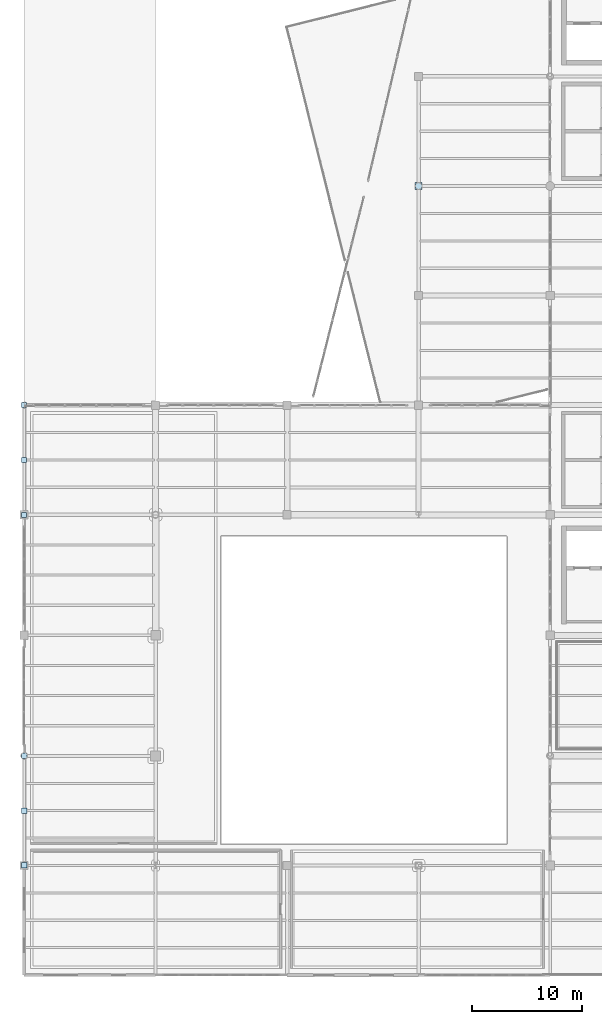
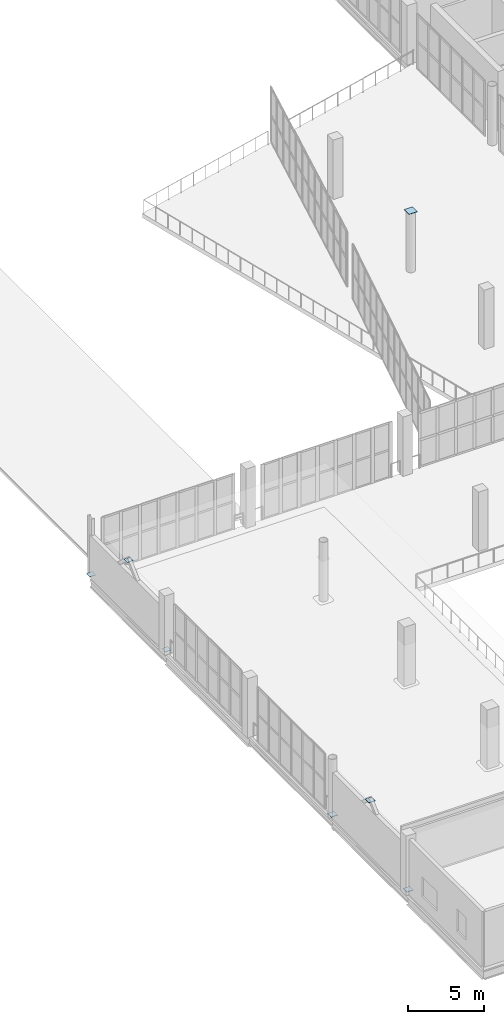
# One storey, part 105 of 136: 7 plates.
"""IFC4 building model written with IfcOpenShell, lengths in metres."""

import ifcopenshell
import ifcopenshell.guid

model = None  # the IFC model being written
_history = None  # IfcOwnerHistory: only IFC2X3 demands one
_inside = {}  # id of a spatial element -> (the spatial element, [elements in it])
_under = {}  # id of a project, library or spatial element -> (it, [spatial elements below it])
_declared = {}  # id of a project -> (the project, [libraries it declares])
_typed = {}  # id of a type object -> (the type object, [elements of that type])
_made_of = {}  # id of a material, layer set ... -> (it, [elements and type objects made of it])


def new_model(schema):
    """Start an empty IFC model of exactly this schema.

    Asked for "IFC4X3", IfcOpenShell would pick the latest addendum, in which some entities
    have other attributes; the version numbers below select the first issue.
    IFC2X3 requires an IfcOwnerHistory on every rooted entity: one is made here for all.
    """
    global model, _history
    if schema == "IFC4X3":
        model = ifcopenshell.file(schema_version=(4, 3, 0, 0))
    else:
        model = ifcopenshell.file(schema=schema)
    _inside.clear()
    _under.clear()
    _declared.clear()
    _typed.clear()
    _made_of.clear()
    _history = None
    if model.schema == "IFC2X3":
        org = make("IfcOrganization", Name="unknown")
        user = make(
            "IfcPersonAndOrganization",
            ThePerson=make("IfcPerson", FamilyName="unknown"),
            TheOrganization=org,
        )
        app = make(
            "IfcApplication",
            ApplicationDeveloper=org,
            Version="unknown",
            ApplicationFullName="unknown",
            ApplicationIdentifier="unknown",
        )
        _history = make(
            "IfcOwnerHistory",
            OwningUser=user,
            OwningApplication=app,
            ChangeAction="ADDED",
            CreationDate=0,
        )
    return model


def make(cls, **values):
    """One entity of the class cls with the attributes given. An attribute that is None is left unset."""
    return model.create_entity(
        cls, **{name: value for name, value in values.items() if value is not None}
    )


def rooted(cls, **values):
    """An entity with a GlobalId (a new one), such as an element, a storey or a relation."""
    return make(cls, GlobalId=ifcopenshell.guid.new(), OwnerHistory=_history, **values)


def si_unit(unit_type, name, prefix=None):
    """IfcSIUnit, for example si_unit("LENGTHUNIT", "METRE", prefix="MILLI")."""
    return make("IfcSIUnit", UnitType=unit_type, Prefix=prefix, Name=name)


def assignment(units):
    """IfcUnitAssignment: the units of a project."""
    return None if units is None else make("IfcUnitAssignment", Units=units)


def point(xyz):
    """IfcCartesianPoint."""
    return None if xyz is None else make("IfcCartesianPoint", Coordinates=xyz)


def direction(xyz):
    """IfcDirection."""
    return None if xyz is None else make("IfcDirection", DirectionRatios=xyz)


def frame(location, z_axis=None, x_axis=None):
    """IfcAxis2Placement3D, a coordinate frame: its origin and axes. An axis left out is left unset."""
    return make(
        "IfcAxis2Placement3D",
        Location=point(location),
        Axis=direction(z_axis),
        RefDirection=direction(x_axis),
    )


def frame_2d(location, x_axis=None):
    """IfcAxis2Placement2D, a coordinate frame in the plane: its origin and x axis."""
    return make(
        "IfcAxis2Placement2D", Location=point(location), RefDirection=direction(x_axis)
    )


def origin():
    """The frame at (0, 0, 0) with its axes left unset."""
    return frame((0.0, 0.0, 0.0))


def origin_2d():
    """The frame at (0, 0) in the plane with its x axis left unset."""
    return frame_2d((0.0, 0.0))


def place(relative_to, where):
    """IfcLocalPlacement: puts the frame where relative to a parent placement (None: the world)."""
    return make(
        "IfcLocalPlacement", PlacementRelTo=relative_to, RelativePlacement=where
    )


def context(
    kind, dimensions, precision=None, world=None, true_north=None, identifier=None
):
    """IfcGeometricRepresentationContext, for example the 3D "Model" context."""
    return make(
        "IfcGeometricRepresentationContext",
        ContextIdentifier=identifier,
        ContextType=kind,
        CoordinateSpaceDimension=dimensions,
        Precision=precision,
        WorldCoordinateSystem=world,
        TrueNorth=true_north,
    )


def subcontext(parent, identifier, kind, view, scale=None):
    """IfcGeometricRepresentationSubContext, for example "Body" below "Model"."""
    return make(
        "IfcGeometricRepresentationSubContext",
        ContextIdentifier=identifier,
        ContextType=kind,
        ParentContext=parent,
        TargetScale=scale,
        TargetView=view,
    )


def project(units=None, contexts=None):
    """IfcProject with its units and contexts."""
    return rooted(
        "IfcProject",
        Name="project",
        RepresentationContexts=contexts,
        UnitsInContext=assignment(units),
    )


def spatial(cls, under=None, at=None, **own):
    """A site, building, storey or space (cls), placed at a placement, below another one or the project."""
    s = rooted(cls, ObjectPlacement=at, **own)
    if under is not None:
        _under.setdefault(under.id(), (under, []))[1].append(s)
    return s


def profile(cls, at=None, kind="AREA", **sizes):
    """A parametric profile (cls). Its sizes go by their IFC names, for example OverallWidth=200.0."""
    return make(cls, ProfileType=kind, Position=at, **sizes)


def rectangle(**sizes):
    """IfcRectangleProfileDef."""
    return profile("IfcRectangleProfileDef", **sizes)


def extrude(swept, where, along, depth):
    """IfcExtrudedAreaSolid: the profile swept, set in the frame where, extruded along a direction by depth."""
    return make(
        "IfcExtrudedAreaSolid",
        SweptArea=swept,
        Position=where,
        ExtrudedDirection=direction(along),
        Depth=depth,
    )


def shape(context_of_items, identifier, shape_type, items):
    """IfcShapeRepresentation: the items that make up one representation, for example the "Body"."""
    return make(
        "IfcShapeRepresentation",
        ContextOfItems=context_of_items,
        RepresentationIdentifier=identifier,
        RepresentationType=shape_type,
        Items=items,
    )


def material(Name=None, Category=None):
    """IfcMaterial."""
    return make("IfcMaterial", Name=Name, Category=Category)


def layer(
    of_material, thickness, ventilated=None, Name=None, Category=None, Priority=None
):
    """IfcMaterialLayer: one layer of a wall or slab, of a material (None: an air gap)."""
    return make(
        "IfcMaterialLayer",
        Material=of_material,
        LayerThickness=thickness,
        IsVentilated=ventilated,
        Name=Name,
        Category=Category,
        Priority=Priority,
    )


def layer_set(layers, Name=None):
    """IfcMaterialLayerSet."""
    return make("IfcMaterialLayerSet", MaterialLayers=layers, LayerSetName=Name)


def made_of(thing, what):
    """Note that an element or type object is made of a material, layer set ...; save() writes the relation."""
    if what is not None:
        _made_of.setdefault(what.id(), (what, []))[1].append(thing)
    return thing


def type_object(cls, material=None, **own):
    """A type object (cls), such as IfcWallType, which elements share."""
    return made_of(rooted(cls, **own), material)


def element(
    cls,
    number,
    at=None,
    inside=None,
    cuts=None,
    type_object=None,
    material=None,
    context=None,
    identifier="Body",
    shape_type=None,
    held_by="IfcProductDefinitionShape",
    body=None,
    shapes=None,
    **own,
):
    """One element of the class cls, such as IfcWall. Its Tag is "e" and its number.

    at: its placement. inside: the storey or other place that contains it. cuts: it is an
    opening in that element (IfcRelVoidsElement). A single representation is given by context,
    identifier, shape_type and body (its items); several are given by shapes. held_by: the class
    of the entity that holds the representations. save() writes the other relations.
    """
    e = rooted(cls, Tag="e%d" % number, ObjectPlacement=at, **own)
    if body is not None:
        shapes = [shape(context, identifier, shape_type, body)]
    if shapes is not None:
        e.Representation = make(held_by, Representations=shapes)
    if inside is not None:
        _inside.setdefault(inside.id(), (inside, []))[1].append(e)
    if cuts is not None:
        rooted(
            "IfcRelVoidsElement", RelatingBuildingElement=cuts, RelatedOpeningElement=e
        )
    if type_object is not None:
        _typed.setdefault(type_object.id(), (type_object, []))[1].append(e)
    return made_of(e, material)


def aggregate(whole, parts):
    """IfcRelAggregates: a whole, such as a stair, and the parts it consists of."""
    return rooted("IfcRelAggregates", RelatingObject=whole, RelatedObjects=parts)


def save(model, path):
    """Write the relations noted so far, then the file.

    IfcRelAggregates (storeys below a building ...), IfcRelContainedInSpatialStructure (elements
    in a storey), IfcRelDefinesByType, IfcRelAssociatesMaterial and IfcRelDeclares: one each for
    every whole, place, type object, material and project.
    """
    for whole, parts in _under.values():
        aggregate(whole, parts)
    for where, things in _inside.values():
        rooted(
            "IfcRelContainedInSpatialStructure",
            RelatedElements=things,
            RelatingStructure=where,
        )
    for kind, things in _typed.values():
        rooted("IfcRelDefinesByType", RelatedObjects=things, RelatingType=kind)
    for what, things in _made_of.values():
        rooted("IfcRelAssociatesMaterial", RelatedObjects=things, RelatingMaterial=what)
    for by, libraries in _declared.values():
        rooted("IfcRelDeclares", RelatingContext=by, RelatedDefinitions=libraries)
    model.write(path)


model = new_model("IFC4")

# Units and contexts
model_context = context("Model", 3, precision=1e-05, world=origin(), true_north=direction((0.0, 1.0)))
body_context = subcontext(model_context, "Body", "Model", "MODEL_VIEW")
ifc_project = project(units=[si_unit("LENGTHUNIT", "METRE"), si_unit("AREAUNIT", "SQUARE_METRE"), si_unit("VOLUMEUNIT", "CUBIC_METRE"), si_unit("PLANEANGLEUNIT", "RADIAN"), si_unit("MASSUNIT", "GRAM", prefix="KILO")], contexts=[model_context])

# Site, building, storey
site_placement = place(None, origin())
site = spatial("IfcSite", under=ifc_project, at=site_placement, CompositionType="ELEMENT")
building_placement = place(site_placement, origin())
building = spatial("IfcBuilding", under=site, at=building_placement, Name="Brinegate Civic Arena", CompositionType="ELEMENT")
storey_placement = place(building_placement, frame((0.0, 0.0, 5.39990234375)))
storey = spatial("IfcBuildingStorey", under=building, at=storey_placement, Name="L01", CompositionType="ELEMENT", Elevation=5.39990234375)

# Plates
ifc_material = material(Name="Steel S355", Category="steel")
ifc_layer_1 = layer(ifc_material, 0.02587890625, Name="Steel S355")
ifc_layer_set_1 = layer_set([ifc_layer_1], Name="Steel S355")
plate_type_1 = type_object("IfcPlateType", Name="PLATE-BASE-640X26", PredefinedType="SHEET", material=ifc_layer_set_1)
plate_placement = place(storey_placement, frame((36.0, 72.0, 4.797119140625), z_axis=(0.0, 0.0, 1.0), x_axis=(1.0, 0.0, 0.0)))
element("IfcPlate", 1, at=plate_placement, inside=storey, type_object=plate_type_1, Name="Welded Steel Column Node Cap Plate CPL-TOP-023", PredefinedType="SHEET", context=body_context, shape_type="SweptSolid", body=[
    extrude(rectangle(XDim=0.639892578125, YDim=0.639892578125, at=origin_2d()), origin(), (0.0, 0.0, 1.0), 0.02587890625),
])
ifc_layer_2 = layer(ifc_material, 0.01806640625, Name="Steel S355")
ifc_layer_set_2 = layer_set([ifc_layer_2], Name="Steel S355")
plate_type_2 = type_object("IfcPlateType", Name="PLATE-GUSSET-460X18", PredefinedType="SHEET", material=ifc_layer_set_2)
for number, where, z_axis, x_axis, name in (
    (2, (0.0, 47.0, 4.341064453125), (0.0, 0.0, 1.0), (1.0, 0.0, 0.0), "Chevron Gusset Plate GPL-04"),
    (3, (0.0, 42.0, 0.14111328125), (0.0, 0.0, 1.0), (1.0, 0.0, 0.0), "Chevron Base Gusset Plate GPL-04-BA"),
    (4, (0.0, 52.0, 0.14111328125), (0.0, 0.0, 1.0), (1.0, 0.0, 0.0), "Chevron Base Gusset Plate GPL-04-BB"),
):
    element("IfcPlate", number, at=place(storey_placement, frame(where, z_axis=z_axis, x_axis=x_axis)), inside=storey, type_object=plate_type_2, Name=name, PredefinedType="SHEET", context=body_context, shape_type="SweptSolid", body=[
        extrude(rectangle(XDim=0.4599609375, YDim=0.4599609375, at=origin_2d()), origin(), (0.0, 0.0, 1.0), 0.01806640625),
    ])
ifc_layer_3 = layer(ifc_material, 0.02001953125, Name="Steel S355")
ifc_layer_set_3 = layer_set([ifc_layer_3], Name="Steel S355")
plate_type_3 = type_object("IfcPlateType", Name="PLATE-GUSSET-500X20", PredefinedType="SHEET", material=ifc_layer_set_3)
for number, where, z_axis, x_axis, name in (
    (5, (0.0, 15.0, 4.340087890625), (0.0, 0.0, 1.0), (1.0, 0.0, 0.0), "Chevron Gusset Plate GPL-03"),
    (6, (0.0, 10.0, 0.14013671875), (0.0, 0.0, 1.0), (1.0, 0.0, 0.0), "Chevron Base Gusset Plate GPL-03-BA"),
    (7, (0.0, 20.0, 0.14013671875), (0.0, 0.0, 1.0), (1.0, 0.0, 0.0), "Chevron Base Gusset Plate GPL-03-BB"),
):
    element("IfcPlate", number, at=place(storey_placement, frame(where, z_axis=z_axis, x_axis=x_axis)), inside=storey, type_object=plate_type_3, Name=name, PredefinedType="SHEET", context=body_context, shape_type="SweptSolid", body=[
        extrude(rectangle(XDim=0.5, YDim=0.5, at=origin_2d()), origin(), (0.0, 0.0, 1.0), 0.02001953125),
    ])

save(model, "model.ifc")
